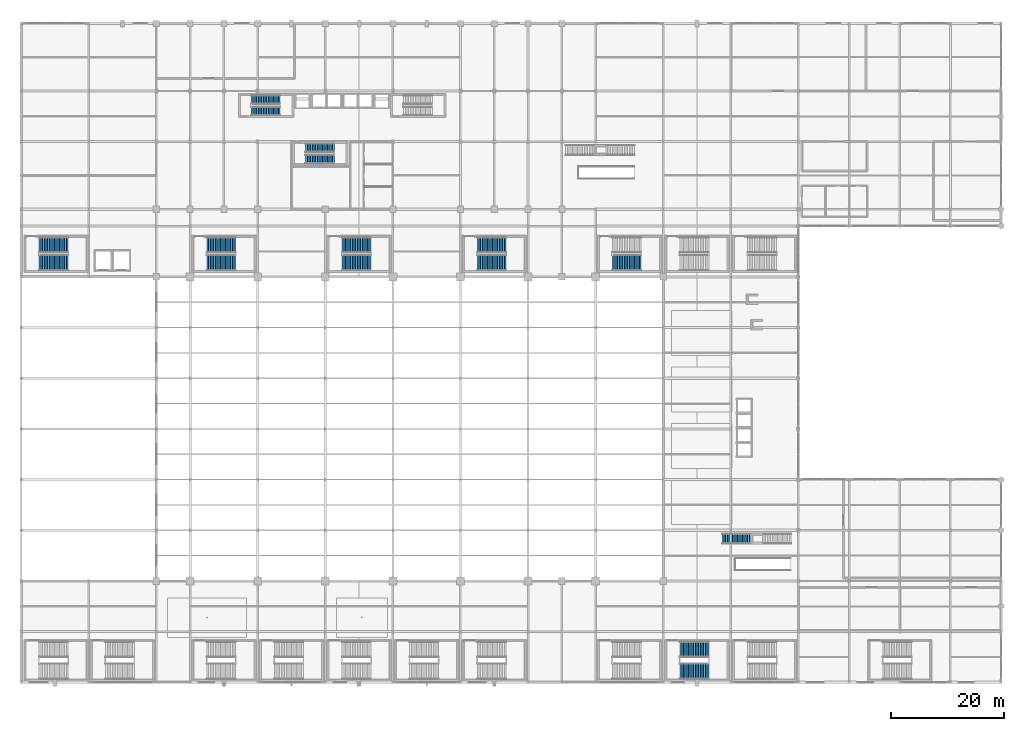
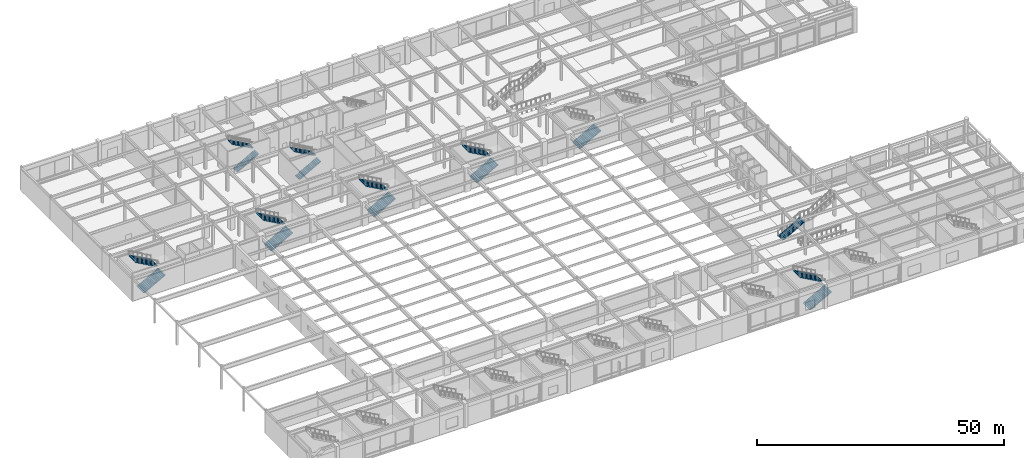
# One storey, part 93 of 105: 16 stair flights, 9 elements without a shape of their own.
"""IFC4 building model written with IfcOpenShell, lengths in metres."""

from ifc_helpers import new_model, si_unit, direction, frame, origin, place, context, subcontext, project, spatial, polyline, outline, extrude, material, type_object, element, aggregate, save


model = new_model("IFC4")

# Units and contexts
model_context = context("Model", 3, precision=1e-05, world=origin(), true_north=direction((0.0, 1.0)))
body_context = subcontext(model_context, "Body", "Model", "MODEL_VIEW")
ifc_project = project(units=[si_unit("LENGTHUNIT", "METRE"), si_unit("AREAUNIT", "SQUARE_METRE"), si_unit("VOLUMEUNIT", "CUBIC_METRE"), si_unit("PLANEANGLEUNIT", "RADIAN"), si_unit("MASSUNIT", "GRAM", prefix="KILO")], contexts=[model_context])

# Site, building, storey
site_placement = place(None, origin())
site = spatial("IfcSite", under=ifc_project, at=site_placement, CompositionType="ELEMENT")
building_placement = place(site_placement, origin())
building = spatial("IfcBuilding", under=site, at=building_placement, Name="Kaldorvane Square Convention Centre", CompositionType="ELEMENT")
storey_placement = place(building_placement, frame((0.0, 0.0, 6.0)))
storey = spatial("IfcBuildingStorey", under=building, at=storey_placement, Name="L01", CompositionType="ELEMENT", Elevation=6.0)

# Stair, stair flight
ifc_material_1 = material(Name="Steel ASTM A500 Gr. C", Category="steel")
stair_type_1 = type_object("IfcStairType", Name="ST-STR-1800-6000", PredefinedType="STRAIGHT_RUN_STAIR", material=ifc_material_1)
stair_1_placement = place(storey_placement, origin())
stair_1 = element("IfcStair", 1, at=stair_1_placement, inside=storey, type_object=stair_type_1, Name="East Foyer Grand Stair F2 (L01)", PredefinedType="STRAIGHT_RUN_STAIR")
stair_flight_type_1 = type_object("IfcStairFlightType", Name="SF-FEAT-1800-18R", PredefinedType="STRAIGHT", material=ifc_material_1)
stair_flight_1_placement = place(storey_placement, frame((124.47999572753906, 25.5, 0.0), z_axis=(0.0, 0.0, 1.0), x_axis=(1.0, 0.0, 0.0)))
stair_flight_1 = element("IfcStairFlight", 2, at=stair_flight_1_placement, type_object=stair_flight_type_1, Name="East Foyer Grand Stair F2 Lower Flight (L01)", NumberOfRisers=18, NumberOfTreads=17, PredefinedType="STRAIGHT", RiserHeight=0.166666667, TreadLength=0.3, context=body_context, shape_type="SweptSolid", body=[
    extrude(outline(polyline([(0.0, 0.0), (0.0, 0.1666717529296875), (0.3000030517578125, 0.1666717529296875), (0.3000030517578125, 0.3333282470703125), (0.600006103515625, 0.3333282470703125), (0.600006103515625, 0.5), (0.899993896484375, 0.5), (0.899993896484375, 0.6666717529296875), (1.1999969482421875, 0.6666717529296875), (1.1999969482421875, 0.8333282470703125), (1.5, 0.8333282470703125), (1.5, 1.0), (1.8000030517578125, 1.0), (1.8000030517578125, 1.1666717529296875), (2.100006103515625, 1.1666717529296875), (2.100006103515625, 1.3333282470703125), (2.399993896484375, 1.3333282470703125), (2.399993896484375, 1.5), (2.6999969482421875, 1.5), (2.6999969482421875, 1.6666717529296875), (3.0, 1.6666717529296875), (3.0, 1.8333282470703125), (3.3000030517578125, 1.8333282470703125), (3.3000030517578125, 2.0), (3.600006103515625, 2.0), (3.600006103515625, 2.1666717529296875), (3.899993896484375, 2.1666717529296875), (3.899993896484375, 2.3333282470703125), (4.1999969482421875, 2.3333282470703125), (4.1999969482421875, 2.5), (4.5, 2.5), (4.5, 2.6666717529296875), (4.8000030517578125, 2.6666717529296875), (4.8000030517578125, 2.8333282470703125), (5.100006103515625, 2.8333282470703125), (5.100006103515625, 3.0), (5.100006103515625, 2.6045379638671875), (0.4118194580078125, 0.0), (0.0, 0.0)])), frame((0.0, 0.899993896484375, 0.0), z_axis=(0.0, -1.0, 0.0), x_axis=(1.0, 0.0, 0.0)), (0.0, 0.0, 1.0), 1.8000030517578125),
])
aggregate(stair_1, [stair_flight_1])

# Stair, stair flights
ifc_material_2 = material(Name="Concrete f'c = 42 MPa (Normalweight)", Category="concrete")
stair_type_2 = type_object("IfcStairType", Name="ST-DL-1600-6000", PredefinedType="HALF_TURN_STAIR", material=ifc_material_2)
stair_2_placement = place(storey_placement, origin())
stair_2 = element("IfcStair", 3, at=stair_2_placement, inside=storey, type_object=stair_type_2, Name="Tower Exit Stair T1 (L01)", PredefinedType="HALF_TURN_STAIR")
stair_flight_type_2 = type_object("IfcStairFlightType", Name="SF-STR-1600-18R", PredefinedType="STRAIGHT", material=ifc_material_2)
stair_flight_2_placement = place(storey_placement, frame((40.899993896484375, 101.41000366210938, 0.0), z_axis=(0.0, 0.0, 1.0), x_axis=(1.0, 0.0, 0.0)))
stair_flight_2 = element("IfcStairFlight", 4, at=stair_flight_2_placement, type_object=stair_flight_type_2, Name="Tower Exit Stair T1 Flight 1 (L01)", NumberOfRisers=18, NumberOfTreads=17, PredefinedType="STRAIGHT", RiserHeight=0.166666667, TreadLength=0.3, context=body_context, shape_type="SweptSolid", body=[
    extrude(outline(polyline([(0.0, 0.0), (0.0, 0.1666717529296875), (0.3000030517578125, 0.1666717529296875), (0.3000030517578125, 0.3333282470703125), (0.600006103515625, 0.3333282470703125), (0.600006103515625, 0.5), (0.899993896484375, 0.5), (0.899993896484375, 0.6666717529296875), (1.1999969482421875, 0.6666717529296875), (1.1999969482421875, 0.8333282470703125), (1.5, 0.8333282470703125), (1.5, 1.0), (1.8000030517578125, 1.0), (1.8000030517578125, 1.1666717529296875), (2.100006103515625, 1.1666717529296875), (2.100006103515625, 1.3333282470703125), (2.399993896484375, 1.3333282470703125), (2.399993896484375, 1.5), (2.6999969482421875, 1.5), (2.6999969482421875, 1.6666717529296875), (3.0, 1.6666717529296875), (3.0, 1.8333282470703125), (3.3000030517578125, 1.8333282470703125), (3.3000030517578125, 2.0), (3.600006103515625, 2.0), (3.600006103515625, 2.1666717529296875), (3.899993896484375, 2.1666717529296875), (3.899993896484375, 2.3333282470703125), (4.1999969482421875, 2.3333282470703125), (4.1999969482421875, 2.5), (4.5, 2.5), (4.5, 2.6666717529296875), (4.8000030517578125, 2.6666717529296875), (4.8000030517578125, 2.8333282470703125), (5.100006103515625, 2.8333282470703125), (5.100006103515625, 3.0), (5.100006103515625, 2.6045379638671875), (0.4118194580078125, 0.0), (0.0, 0.0)])), frame((0.0, 0.8000030517578125, 0.0), z_axis=(0.0, -1.0, 0.0), x_axis=(1.0, 0.0, 0.0)), (0.0, 0.0, 1.0), 1.600006103515625),
])
stair_flight_3_placement = place(storey_placement, frame((46.0, 103.44999694824219, 3.0), z_axis=(0.0, 0.0, 1.0), x_axis=(-1.0, 0.0, 0.0)))
stair_flight_3 = element("IfcStairFlight", 5, at=stair_flight_3_placement, type_object=stair_flight_type_2, Name="Tower Exit Stair T1 Flight 2 (L01)", NumberOfRisers=18, NumberOfTreads=17, PredefinedType="STRAIGHT", RiserHeight=0.166666667, TreadLength=0.3, context=body_context, shape_type="SweptSolid", body=[
    extrude(outline(polyline([(0.0, 0.0), (0.0, 0.1666717529296875), (0.3000030517578125, 0.1666717529296875), (0.3000030517578125, 0.3333282470703125), (0.600006103515625, 0.3333282470703125), (0.600006103515625, 0.5), (0.899993896484375, 0.5), (0.899993896484375, 0.6666717529296875), (1.1999969482421875, 0.6666717529296875), (1.1999969482421875, 0.8333282470703125), (1.5, 0.8333282470703125), (1.5, 1.0), (1.8000030517578125, 1.0), (1.8000030517578125, 1.1666717529296875), (2.100006103515625, 1.1666717529296875), (2.100006103515625, 1.3333282470703125), (2.399993896484375, 1.3333282470703125), (2.399993896484375, 1.5), (2.6999969482421875, 1.5), (2.6999969482421875, 1.6666717529296875), (3.0, 1.6666717529296875), (3.0, 1.8333282470703125), (3.3000030517578125, 1.8333282470703125), (3.3000030517578125, 2.0), (3.600006103515625, 2.0), (3.600006103515625, 2.1666717529296875), (3.899993896484375, 2.1666717529296875), (3.899993896484375, 2.3333282470703125), (4.1999969482421875, 2.3333282470703125), (4.1999969482421875, 2.5), (4.5, 2.5), (4.5, 2.6666717529296875), (4.8000030517578125, 2.6666717529296875), (4.8000030517578125, 2.8333282470703125), (5.100006103515625, 2.8333282470703125), (5.100006103515625, 3.0), (5.100006103515625, 2.6045379638671875), (0.4118194580078125, 0.0), (0.0, 0.0)])), frame((0.0, 0.8000030517578125, 0.0), z_axis=(0.0, -1.0, 0.0), x_axis=(1.0, 0.0, 0.0)), (0.0, 0.0, 1.0), 1.600006103515625),
])
aggregate(stair_2, [stair_flight_2, stair_flight_3])

stair_3_placement = place(storey_placement, origin())
stair_3 = element("IfcStair", 6, at=stair_3_placement, inside=storey, type_object=stair_type_2, Name="Tower Exit Stair T3 (L01)", PredefinedType="HALF_TURN_STAIR")
stair_flight_4_placement = place(storey_placement, frame((50.5, 92.86000061035156, 0.0), z_axis=(0.0, 0.0, 1.0), x_axis=(1.0, 0.0, 0.0)))
stair_flight_4 = element("IfcStairFlight", 7, at=stair_flight_4_placement, type_object=stair_flight_type_2, Name="Tower Exit Stair T3 Flight 1 (L01)", NumberOfRisers=18, NumberOfTreads=17, PredefinedType="STRAIGHT", RiserHeight=0.166666667, TreadLength=0.3, context=body_context, shape_type="SweptSolid", body=[
    extrude(outline(polyline([(0.0, 0.0), (0.0, 0.1666717529296875), (0.3000030517578125, 0.1666717529296875), (0.3000030517578125, 0.3333282470703125), (0.600006103515625, 0.3333282470703125), (0.600006103515625, 0.5), (0.899993896484375, 0.5), (0.899993896484375, 0.6666717529296875), (1.1999969482421875, 0.6666717529296875), (1.1999969482421875, 0.8333282470703125), (1.5, 0.8333282470703125), (1.5, 1.0), (1.8000030517578125, 1.0), (1.8000030517578125, 1.1666717529296875), (2.100006103515625, 1.1666717529296875), (2.100006103515625, 1.3333282470703125), (2.399993896484375, 1.3333282470703125), (2.399993896484375, 1.5), (2.6999969482421875, 1.5), (2.6999969482421875, 1.6666717529296875), (3.0, 1.6666717529296875), (3.0, 1.8333282470703125), (3.3000030517578125, 1.8333282470703125), (3.3000030517578125, 2.0), (3.600006103515625, 2.0), (3.600006103515625, 2.1666717529296875), (3.899993896484375, 2.1666717529296875), (3.899993896484375, 2.3333282470703125), (4.1999969482421875, 2.3333282470703125), (4.1999969482421875, 2.5), (4.5, 2.5), (4.5, 2.6666717529296875), (4.8000030517578125, 2.6666717529296875), (4.8000030517578125, 2.8333282470703125), (5.100006103515625, 2.8333282470703125), (5.100006103515625, 3.0), (5.100006103515625, 2.6045379638671875), (0.4118194580078125, 0.0), (0.0, 0.0)])), frame((0.0, 0.8000030517578125, 0.0), z_axis=(0.0, -1.0, 0.0), x_axis=(1.0, 0.0, 0.0)), (0.0, 0.0, 1.0), 1.600006103515625),
])
stair_flight_5_placement = place(storey_placement, frame((55.600006103515625, 94.89999389648438, 3.0), z_axis=(0.0, 0.0, 1.0), x_axis=(-1.0, 0.0, 0.0)))
stair_flight_5 = element("IfcStairFlight", 8, at=stair_flight_5_placement, type_object=stair_flight_type_2, Name="Tower Exit Stair T3 Flight 2 (L01)", NumberOfRisers=18, NumberOfTreads=17, PredefinedType="STRAIGHT", RiserHeight=0.166666667, TreadLength=0.3, context=body_context, shape_type="SweptSolid", body=[
    extrude(outline(polyline([(0.0, 0.0), (0.0, 0.1666717529296875), (0.3000030517578125, 0.1666717529296875), (0.3000030517578125, 0.3333282470703125), (0.600006103515625, 0.3333282470703125), (0.600006103515625, 0.5), (0.899993896484375, 0.5), (0.899993896484375, 0.6666717529296875), (1.1999969482421875, 0.6666717529296875), (1.1999969482421875, 0.8333282470703125), (1.5, 0.8333282470703125), (1.5, 1.0), (1.8000030517578125, 1.0), (1.8000030517578125, 1.1666717529296875), (2.100006103515625, 1.1666717529296875), (2.100006103515625, 1.3333282470703125), (2.399993896484375, 1.3333282470703125), (2.399993896484375, 1.5), (2.6999969482421875, 1.5), (2.6999969482421875, 1.6666717529296875), (3.0, 1.6666717529296875), (3.0, 1.8333282470703125), (3.3000030517578125, 1.8333282470703125), (3.3000030517578125, 2.0), (3.600006103515625, 2.0), (3.600006103515625, 2.1666717529296875), (3.899993896484375, 2.1666717529296875), (3.899993896484375, 2.3333282470703125), (4.1999969482421875, 2.3333282470703125), (4.1999969482421875, 2.5), (4.5, 2.5), (4.5, 2.6666717529296875), (4.8000030517578125, 2.6666717529296875), (4.8000030517578125, 2.8333282470703125), (5.100006103515625, 2.8333282470703125), (5.100006103515625, 3.0), (5.100006103515625, 2.6045379638671875), (0.4118194580078125, 0.0), (0.0, 0.0)])), frame((0.0, 0.8000030517578125, 0.0), z_axis=(0.0, -1.0, 0.0), x_axis=(1.0, 0.0, 0.0)), (0.0, 0.0, 1.0), 1.600006103515625),
])
aggregate(stair_3, [stair_flight_4, stair_flight_5])

stair_type_3 = type_object("IfcStairType", Name="ST-DL-2800-6000-D6710", PredefinedType="HALF_TURN_STAIR", material=ifc_material_2)
stair_4_placement = place(storey_placement, origin())
stair_4 = element("IfcStair", 9, at=stair_4_placement, inside=storey, type_object=stair_type_3, Name="Convention Exit Stair C9 (L01)", PredefinedType="HALF_TURN_STAIR")
stair_flight_type_3 = type_object("IfcStairFlightType", Name="SF-STR-2800-18R", PredefinedType="STRAIGHT", material=ifc_material_2)
stair_flight_6_placement = place(storey_placement, frame((116.99000549316406, 1.9499969482421875, 0.0), z_axis=(0.0, 0.0, 1.0), x_axis=(1.0, 0.0, 0.0)))
stair_flight_6 = element("IfcStairFlight", 10, at=stair_flight_6_placement, type_object=stair_flight_type_3, Name="Convention Exit Stair C9 Flight 1 (L01)", NumberOfRisers=18, NumberOfTreads=17, PredefinedType="STRAIGHT", RiserHeight=0.166666667, TreadLength=0.3, context=body_context, shape_type="SweptSolid", body=[
    extrude(outline(polyline([(0.0, 0.0), (0.0, 0.1666717529296875), (0.3000030517578125, 0.1666717529296875), (0.3000030517578125, 0.3333282470703125), (0.600006103515625, 0.3333282470703125), (0.600006103515625, 0.5), (0.899993896484375, 0.5), (0.899993896484375, 0.6666717529296875), (1.1999969482421875, 0.6666717529296875), (1.1999969482421875, 0.8333282470703125), (1.5, 0.8333282470703125), (1.5, 1.0), (1.8000030517578125, 1.0), (1.8000030517578125, 1.1666717529296875), (2.100006103515625, 1.1666717529296875), (2.100006103515625, 1.3333282470703125), (2.399993896484375, 1.3333282470703125), (2.399993896484375, 1.5), (2.6999969482421875, 1.5), (2.6999969482421875, 1.6666717529296875), (3.0, 1.6666717529296875), (3.0, 1.8333282470703125), (3.3000030517578125, 1.8333282470703125), (3.3000030517578125, 2.0), (3.600006103515625, 2.0), (3.600006103515625, 2.1666717529296875), (3.899993896484375, 2.1666717529296875), (3.899993896484375, 2.3333282470703125), (4.1999969482421875, 2.3333282470703125), (4.1999969482421875, 2.5), (4.5, 2.5), (4.5, 2.6666717529296875), (4.8000030517578125, 2.6666717529296875), (4.8000030517578125, 2.8333282470703125), (5.100006103515625, 2.8333282470703125), (5.100006103515625, 3.0), (5.100006103515625, 2.6045379638671875), (0.4118194580078125, 0.0), (0.0, 0.0)])), frame((0.0, 1.399993896484375, 0.0), z_axis=(0.0, -1.0, 0.0), x_axis=(1.0, 0.0, 0.0)), (0.0, 0.0, 1.0), 2.8000030517578125),
])
stair_flight_7_placement = place(storey_placement, frame((122.08999633789062, 5.8600006103515625, 3.0), z_axis=(0.0, 0.0, 1.0), x_axis=(-1.0, 0.0, 0.0)))
stair_flight_7 = element("IfcStairFlight", 11, at=stair_flight_7_placement, type_object=stair_flight_type_3, Name="Convention Exit Stair C9 Flight 2 (L01)", NumberOfRisers=18, NumberOfTreads=17, PredefinedType="STRAIGHT", RiserHeight=0.166666667, TreadLength=0.3, context=body_context, shape_type="SweptSolid", body=[
    extrude(outline(polyline([(0.0, 0.0), (0.0, 0.1666717529296875), (0.3000030517578125, 0.1666717529296875), (0.3000030517578125, 0.3333282470703125), (0.600006103515625, 0.3333282470703125), (0.600006103515625, 0.5), (0.899993896484375, 0.5), (0.899993896484375, 0.6666717529296875), (1.1999969482421875, 0.6666717529296875), (1.1999969482421875, 0.8333282470703125), (1.5, 0.8333282470703125), (1.5, 1.0), (1.8000030517578125, 1.0), (1.8000030517578125, 1.1666717529296875), (2.100006103515625, 1.1666717529296875), (2.100006103515625, 1.3333282470703125), (2.399993896484375, 1.3333282470703125), (2.399993896484375, 1.5), (2.6999969482421875, 1.5), (2.6999969482421875, 1.6666717529296875), (3.0, 1.6666717529296875), (3.0, 1.8333282470703125), (3.3000030517578125, 1.8333282470703125), (3.3000030517578125, 2.0), (3.600006103515625, 2.0), (3.600006103515625, 2.1666717529296875), (3.899993896484375, 2.1666717529296875), (3.899993896484375, 2.3333282470703125), (4.1999969482421875, 2.3333282470703125), (4.1999969482421875, 2.5), (4.5, 2.5), (4.5, 2.6666717529296875), (4.8000030517578125, 2.6666717529296875), (4.8000030517578125, 2.8333282470703125), (5.100006103515625, 2.8333282470703125), (5.100006103515625, 3.0), (5.100006103515625, 2.6045379638671875), (0.4118194580078125, 0.0), (0.0, 0.0)])), frame((0.0, 1.399993896484375, 0.0), z_axis=(0.0, -1.0, 0.0), x_axis=(1.0, 0.0, 0.0)), (0.0, 0.0, 1.0), 2.8000030517578125),
])
aggregate(stair_4, [stair_flight_6, stair_flight_7])

stair_type_4 = type_object("IfcStairType", Name="ST-DL-2800-6000", PredefinedType="HALF_TURN_STAIR", material=ifc_material_2)
stair_5_placement = place(storey_placement, origin())
stair_5 = element("IfcStair", 12, at=stair_5_placement, inside=storey, type_object=stair_type_4, Name="Convention Exit Stair C12 (L01)", PredefinedType="HALF_TURN_STAIR")
stair_flight_8_placement = place(storey_placement, frame((3.2100067138671875, 74.5, 0.0), z_axis=(0.0, 0.0, 1.0), x_axis=(1.0, 0.0, 0.0)))
stair_flight_8 = element("IfcStairFlight", 13, at=stair_flight_8_placement, type_object=stair_flight_type_3, Name="Convention Exit Stair C12 Flight 1 (L01)", NumberOfRisers=18, NumberOfTreads=17, PredefinedType="STRAIGHT", RiserHeight=0.166666667, TreadLength=0.3, context=body_context, shape_type="SweptSolid", body=[
    extrude(outline(polyline([(0.0, 0.0), (0.0, 0.1666717529296875), (0.3000030517578125, 0.1666717529296875), (0.3000030517578125, 0.3333282470703125), (0.600006103515625, 0.3333282470703125), (0.600006103515625, 0.5), (0.899993896484375, 0.5), (0.899993896484375, 0.6666717529296875), (1.1999969482421875, 0.6666717529296875), (1.1999969482421875, 0.8333282470703125), (1.5, 0.8333282470703125), (1.5, 1.0), (1.8000030517578125, 1.0), (1.8000030517578125, 1.1666717529296875), (2.100006103515625, 1.1666717529296875), (2.100006103515625, 1.3333282470703125), (2.399993896484375, 1.3333282470703125), (2.399993896484375, 1.5), (2.6999969482421875, 1.5), (2.6999969482421875, 1.6666717529296875), (3.0, 1.6666717529296875), (3.0, 1.8333282470703125), (3.3000030517578125, 1.8333282470703125), (3.3000030517578125, 2.0), (3.600006103515625, 2.0), (3.600006103515625, 2.1666717529296875), (3.899993896484375, 2.1666717529296875), (3.899993896484375, 2.3333282470703125), (4.1999969482421875, 2.3333282470703125), (4.1999969482421875, 2.5), (4.5, 2.5), (4.5, 2.6666717529296875), (4.8000030517578125, 2.6666717529296875), (4.8000030517578125, 2.8333282470703125), (5.100006103515625, 2.8333282470703125), (5.100006103515625, 3.0), (5.100006103515625, 2.6045379638671875), (0.4118194580078125, 0.0), (0.0, 0.0)])), frame((0.0, 1.399993896484375, 0.0), z_axis=(0.0, -1.0, 0.0), x_axis=(1.0, 0.0, 0.0)), (0.0, 0.0, 1.0), 2.8000030517578125),
])
stair_flight_9_placement = place(storey_placement, frame((8.30999755859375, 77.66000366210938, 3.0), z_axis=(0.0, 0.0, 1.0), x_axis=(-1.0, 0.0, 0.0)))
stair_flight_9 = element("IfcStairFlight", 14, at=stair_flight_9_placement, type_object=stair_flight_type_3, Name="Convention Exit Stair C12 Flight 2 (L01)", NumberOfRisers=18, NumberOfTreads=17, PredefinedType="STRAIGHT", RiserHeight=0.166666667, TreadLength=0.3, context=body_context, shape_type="SweptSolid", body=[
    extrude(outline(polyline([(0.0, 0.0), (0.0, 0.1666717529296875), (0.3000030517578125, 0.1666717529296875), (0.3000030517578125, 0.3333282470703125), (0.600006103515625, 0.3333282470703125), (0.600006103515625, 0.5), (0.899993896484375, 0.5), (0.899993896484375, 0.6666717529296875), (1.1999969482421875, 0.6666717529296875), (1.1999969482421875, 0.8333282470703125), (1.5, 0.8333282470703125), (1.5, 1.0), (1.8000030517578125, 1.0), (1.8000030517578125, 1.1666717529296875), (2.100006103515625, 1.1666717529296875), (2.100006103515625, 1.3333282470703125), (2.399993896484375, 1.3333282470703125), (2.399993896484375, 1.5), (2.6999969482421875, 1.5), (2.6999969482421875, 1.6666717529296875), (3.0, 1.6666717529296875), (3.0, 1.8333282470703125), (3.3000030517578125, 1.8333282470703125), (3.3000030517578125, 2.0), (3.600006103515625, 2.0), (3.600006103515625, 2.1666717529296875), (3.899993896484375, 2.1666717529296875), (3.899993896484375, 2.3333282470703125), (4.1999969482421875, 2.3333282470703125), (4.1999969482421875, 2.5), (4.5, 2.5), (4.5, 2.6666717529296875), (4.8000030517578125, 2.6666717529296875), (4.8000030517578125, 2.8333282470703125), (5.100006103515625, 2.8333282470703125), (5.100006103515625, 3.0), (5.100006103515625, 2.6045379638671875), (0.4118194580078125, 0.0), (0.0, 0.0)])), frame((0.0, 1.399993896484375, 0.0), z_axis=(0.0, -1.0, 0.0), x_axis=(1.0, 0.0, 0.0)), (0.0, 0.0, 1.0), 2.8000030517578125),
])
aggregate(stair_5, [stair_flight_8, stair_flight_9])

stair_6_placement = place(storey_placement, origin())
stair_6 = element("IfcStair", 15, at=stair_6_placement, inside=storey, type_object=stair_type_4, Name="Convention Exit Stair C13 (L01)", PredefinedType="HALF_TURN_STAIR")
stair_flight_10_placement = place(storey_placement, frame((32.99000549316406, 74.5, 0.0), z_axis=(0.0, 0.0, 1.0), x_axis=(1.0, 0.0, 0.0)))
stair_flight_10 = element("IfcStairFlight", 16, at=stair_flight_10_placement, type_object=stair_flight_type_3, Name="Convention Exit Stair C13 Flight 1 (L01)", NumberOfRisers=18, NumberOfTreads=17, PredefinedType="STRAIGHT", RiserHeight=0.166666667, TreadLength=0.3, context=body_context, shape_type="SweptSolid", body=[
    extrude(outline(polyline([(0.0, 0.0), (0.0, 0.1666717529296875), (0.3000030517578125, 0.1666717529296875), (0.3000030517578125, 0.3333282470703125), (0.600006103515625, 0.3333282470703125), (0.600006103515625, 0.5), (0.899993896484375, 0.5), (0.899993896484375, 0.6666717529296875), (1.1999969482421875, 0.6666717529296875), (1.1999969482421875, 0.8333282470703125), (1.5, 0.8333282470703125), (1.5, 1.0), (1.8000030517578125, 1.0), (1.8000030517578125, 1.1666717529296875), (2.100006103515625, 1.1666717529296875), (2.100006103515625, 1.3333282470703125), (2.399993896484375, 1.3333282470703125), (2.399993896484375, 1.5), (2.6999969482421875, 1.5), (2.6999969482421875, 1.6666717529296875), (3.0, 1.6666717529296875), (3.0, 1.8333282470703125), (3.3000030517578125, 1.8333282470703125), (3.3000030517578125, 2.0), (3.600006103515625, 2.0), (3.600006103515625, 2.1666717529296875), (3.899993896484375, 2.1666717529296875), (3.899993896484375, 2.3333282470703125), (4.1999969482421875, 2.3333282470703125), (4.1999969482421875, 2.5), (4.5, 2.5), (4.5, 2.6666717529296875), (4.8000030517578125, 2.6666717529296875), (4.8000030517578125, 2.8333282470703125), (5.100006103515625, 2.8333282470703125), (5.100006103515625, 3.0), (5.100006103515625, 2.6045379638671875), (0.4118194580078125, 0.0), (0.0, 0.0)])), frame((0.0, 1.399993896484375, 0.0), z_axis=(0.0, -1.0, 0.0), x_axis=(1.0, 0.0, 0.0)), (0.0, 0.0, 1.0), 2.8000030517578125),
])
stair_flight_11_placement = place(storey_placement, frame((38.089996337890625, 77.66000366210938, 3.0), z_axis=(0.0, 0.0, 1.0), x_axis=(-1.0, 0.0, 0.0)))
stair_flight_11 = element("IfcStairFlight", 17, at=stair_flight_11_placement, type_object=stair_flight_type_3, Name="Convention Exit Stair C13 Flight 2 (L01)", NumberOfRisers=18, NumberOfTreads=17, PredefinedType="STRAIGHT", RiserHeight=0.166666667, TreadLength=0.3, context=body_context, shape_type="SweptSolid", body=[
    extrude(outline(polyline([(0.0, 0.0), (0.0, 0.1666717529296875), (0.3000030517578125, 0.1666717529296875), (0.3000030517578125, 0.3333282470703125), (0.600006103515625, 0.3333282470703125), (0.600006103515625, 0.5), (0.899993896484375, 0.5), (0.899993896484375, 0.6666717529296875), (1.1999969482421875, 0.6666717529296875), (1.1999969482421875, 0.8333282470703125), (1.5, 0.8333282470703125), (1.5, 1.0), (1.8000030517578125, 1.0), (1.8000030517578125, 1.1666717529296875), (2.100006103515625, 1.1666717529296875), (2.100006103515625, 1.3333282470703125), (2.399993896484375, 1.3333282470703125), (2.399993896484375, 1.5), (2.6999969482421875, 1.5), (2.6999969482421875, 1.6666717529296875), (3.0, 1.6666717529296875), (3.0, 1.8333282470703125), (3.3000030517578125, 1.8333282470703125), (3.3000030517578125, 2.0), (3.600006103515625, 2.0), (3.600006103515625, 2.1666717529296875), (3.899993896484375, 2.1666717529296875), (3.899993896484375, 2.3333282470703125), (4.1999969482421875, 2.3333282470703125), (4.1999969482421875, 2.5), (4.5, 2.5), (4.5, 2.6666717529296875), (4.8000030517578125, 2.6666717529296875), (4.8000030517578125, 2.8333282470703125), (5.100006103515625, 2.8333282470703125), (5.100006103515625, 3.0), (5.100006103515625, 2.6045379638671875), (0.4118194580078125, 0.0), (0.0, 0.0)])), frame((0.0, 1.399993896484375, 0.0), z_axis=(0.0, -1.0, 0.0), x_axis=(1.0, 0.0, 0.0)), (0.0, 0.0, 1.0), 2.8000030517578125),
])
aggregate(stair_6, [stair_flight_10, stair_flight_11])

stair_7_placement = place(storey_placement, origin())
stair_7 = element("IfcStair", 18, at=stair_7_placement, inside=storey, type_object=stair_type_4, Name="Convention Exit Stair C14 (L01)", PredefinedType="HALF_TURN_STAIR")
stair_flight_12_placement = place(storey_placement, frame((56.99000549316406, 74.5, 0.0), z_axis=(0.0, 0.0, 1.0), x_axis=(1.0, 0.0, 0.0)))
stair_flight_12 = element("IfcStairFlight", 19, at=stair_flight_12_placement, type_object=stair_flight_type_3, Name="Convention Exit Stair C14 Flight 1 (L01)", NumberOfRisers=18, NumberOfTreads=17, PredefinedType="STRAIGHT", RiserHeight=0.166666667, TreadLength=0.3, context=body_context, shape_type="SweptSolid", body=[
    extrude(outline(polyline([(0.0, 0.0), (0.0, 0.1666717529296875), (0.3000030517578125, 0.1666717529296875), (0.3000030517578125, 0.3333282470703125), (0.600006103515625, 0.3333282470703125), (0.600006103515625, 0.5), (0.899993896484375, 0.5), (0.899993896484375, 0.6666717529296875), (1.1999969482421875, 0.6666717529296875), (1.1999969482421875, 0.8333282470703125), (1.5, 0.8333282470703125), (1.5, 1.0), (1.8000030517578125, 1.0), (1.8000030517578125, 1.1666717529296875), (2.100006103515625, 1.1666717529296875), (2.100006103515625, 1.3333282470703125), (2.399993896484375, 1.3333282470703125), (2.399993896484375, 1.5), (2.6999969482421875, 1.5), (2.6999969482421875, 1.6666717529296875), (3.0, 1.6666717529296875), (3.0, 1.8333282470703125), (3.3000030517578125, 1.8333282470703125), (3.3000030517578125, 2.0), (3.600006103515625, 2.0), (3.600006103515625, 2.1666717529296875), (3.899993896484375, 2.1666717529296875), (3.899993896484375, 2.3333282470703125), (4.1999969482421875, 2.3333282470703125), (4.1999969482421875, 2.5), (4.5, 2.5), (4.5, 2.6666717529296875), (4.8000030517578125, 2.6666717529296875), (4.8000030517578125, 2.8333282470703125), (5.100006103515625, 2.8333282470703125), (5.100006103515625, 3.0), (5.100006103515625, 2.6045379638671875), (0.4118194580078125, 0.0), (0.0, 0.0)])), frame((0.0, 1.399993896484375, 0.0), z_axis=(0.0, -1.0, 0.0), x_axis=(1.0, 0.0, 0.0)), (0.0, 0.0, 1.0), 2.8000030517578125),
])
stair_flight_13_placement = place(storey_placement, frame((62.089996337890625, 77.66000366210938, 3.0), z_axis=(0.0, 0.0, 1.0), x_axis=(-1.0, 0.0, 0.0)))
stair_flight_13 = element("IfcStairFlight", 20, at=stair_flight_13_placement, type_object=stair_flight_type_3, Name="Convention Exit Stair C14 Flight 2 (L01)", NumberOfRisers=18, NumberOfTreads=17, PredefinedType="STRAIGHT", RiserHeight=0.166666667, TreadLength=0.3, context=body_context, shape_type="SweptSolid", body=[
    extrude(outline(polyline([(0.0, 0.0), (0.0, 0.1666717529296875), (0.3000030517578125, 0.1666717529296875), (0.3000030517578125, 0.3333282470703125), (0.600006103515625, 0.3333282470703125), (0.600006103515625, 0.5), (0.899993896484375, 0.5), (0.899993896484375, 0.6666717529296875), (1.1999969482421875, 0.6666717529296875), (1.1999969482421875, 0.8333282470703125), (1.5, 0.8333282470703125), (1.5, 1.0), (1.8000030517578125, 1.0), (1.8000030517578125, 1.1666717529296875), (2.100006103515625, 1.1666717529296875), (2.100006103515625, 1.3333282470703125), (2.399993896484375, 1.3333282470703125), (2.399993896484375, 1.5), (2.6999969482421875, 1.5), (2.6999969482421875, 1.6666717529296875), (3.0, 1.6666717529296875), (3.0, 1.8333282470703125), (3.3000030517578125, 1.8333282470703125), (3.3000030517578125, 2.0), (3.600006103515625, 2.0), (3.600006103515625, 2.1666717529296875), (3.899993896484375, 2.1666717529296875), (3.899993896484375, 2.3333282470703125), (4.1999969482421875, 2.3333282470703125), (4.1999969482421875, 2.5), (4.5, 2.5), (4.5, 2.6666717529296875), (4.8000030517578125, 2.6666717529296875), (4.8000030517578125, 2.8333282470703125), (5.100006103515625, 2.8333282470703125), (5.100006103515625, 3.0), (5.100006103515625, 2.6045379638671875), (0.4118194580078125, 0.0), (0.0, 0.0)])), frame((0.0, 1.399993896484375, 0.0), z_axis=(0.0, -1.0, 0.0), x_axis=(1.0, 0.0, 0.0)), (0.0, 0.0, 1.0), 2.8000030517578125),
])
aggregate(stair_7, [stair_flight_12, stair_flight_13])

stair_8_placement = place(storey_placement, origin())
stair_8 = element("IfcStair", 21, at=stair_8_placement, inside=storey, type_object=stair_type_4, Name="Convention Exit Stair C15 (L01)", PredefinedType="HALF_TURN_STAIR")
stair_flight_14_placement = place(storey_placement, frame((80.99000549316406, 74.5, 0.0), z_axis=(0.0, 0.0, 1.0), x_axis=(1.0, 0.0, 0.0)))
stair_flight_14 = element("IfcStairFlight", 22, at=stair_flight_14_placement, type_object=stair_flight_type_3, Name="Convention Exit Stair C15 Flight 1 (L01)", NumberOfRisers=18, NumberOfTreads=17, PredefinedType="STRAIGHT", RiserHeight=0.166666667, TreadLength=0.3, context=body_context, shape_type="SweptSolid", body=[
    extrude(outline(polyline([(0.0, 0.0), (0.0, 0.1666717529296875), (0.3000030517578125, 0.1666717529296875), (0.3000030517578125, 0.3333282470703125), (0.600006103515625, 0.3333282470703125), (0.600006103515625, 0.5), (0.899993896484375, 0.5), (0.899993896484375, 0.6666717529296875), (1.1999969482421875, 0.6666717529296875), (1.1999969482421875, 0.8333282470703125), (1.5, 0.8333282470703125), (1.5, 1.0), (1.8000030517578125, 1.0), (1.8000030517578125, 1.1666717529296875), (2.100006103515625, 1.1666717529296875), (2.100006103515625, 1.3333282470703125), (2.399993896484375, 1.3333282470703125), (2.399993896484375, 1.5), (2.6999969482421875, 1.5), (2.6999969482421875, 1.6666717529296875), (3.0, 1.6666717529296875), (3.0, 1.8333282470703125), (3.3000030517578125, 1.8333282470703125), (3.3000030517578125, 2.0), (3.600006103515625, 2.0), (3.600006103515625, 2.1666717529296875), (3.899993896484375, 2.1666717529296875), (3.899993896484375, 2.3333282470703125), (4.1999969482421875, 2.3333282470703125), (4.1999969482421875, 2.5), (4.5, 2.5), (4.5, 2.6666717529296875), (4.8000030517578125, 2.6666717529296875), (4.8000030517578125, 2.8333282470703125), (5.100006103515625, 2.8333282470703125), (5.100006103515625, 3.0), (5.100006103515625, 2.6045379638671875), (0.4118194580078125, 0.0), (0.0, 0.0)])), frame((0.0, 1.399993896484375, 0.0), z_axis=(0.0, -1.0, 0.0), x_axis=(1.0, 0.0, 0.0)), (0.0, 0.0, 1.0), 2.8000030517578125),
])
stair_flight_15_placement = place(storey_placement, frame((86.08999633789062, 77.66000366210938, 3.0), z_axis=(0.0, 0.0, 1.0), x_axis=(-1.0, 0.0, 0.0)))
stair_flight_15 = element("IfcStairFlight", 23, at=stair_flight_15_placement, type_object=stair_flight_type_3, Name="Convention Exit Stair C15 Flight 2 (L01)", NumberOfRisers=18, NumberOfTreads=17, PredefinedType="STRAIGHT", RiserHeight=0.166666667, TreadLength=0.3, context=body_context, shape_type="SweptSolid", body=[
    extrude(outline(polyline([(0.0, 0.0), (0.0, 0.1666717529296875), (0.3000030517578125, 0.1666717529296875), (0.3000030517578125, 0.3333282470703125), (0.600006103515625, 0.3333282470703125), (0.600006103515625, 0.5), (0.899993896484375, 0.5), (0.899993896484375, 0.6666717529296875), (1.1999969482421875, 0.6666717529296875), (1.1999969482421875, 0.8333282470703125), (1.5, 0.8333282470703125), (1.5, 1.0), (1.8000030517578125, 1.0), (1.8000030517578125, 1.1666717529296875), (2.100006103515625, 1.1666717529296875), (2.100006103515625, 1.3333282470703125), (2.399993896484375, 1.3333282470703125), (2.399993896484375, 1.5), (2.6999969482421875, 1.5), (2.6999969482421875, 1.6666717529296875), (3.0, 1.6666717529296875), (3.0, 1.8333282470703125), (3.3000030517578125, 1.8333282470703125), (3.3000030517578125, 2.0), (3.600006103515625, 2.0), (3.600006103515625, 2.1666717529296875), (3.899993896484375, 2.1666717529296875), (3.899993896484375, 2.3333282470703125), (4.1999969482421875, 2.3333282470703125), (4.1999969482421875, 2.5), (4.5, 2.5), (4.5, 2.6666717529296875), (4.8000030517578125, 2.6666717529296875), (4.8000030517578125, 2.8333282470703125), (5.100006103515625, 2.8333282470703125), (5.100006103515625, 3.0), (5.100006103515625, 2.6045379638671875), (0.4118194580078125, 0.0), (0.0, 0.0)])), frame((0.0, 1.399993896484375, 0.0), z_axis=(0.0, -1.0, 0.0), x_axis=(1.0, 0.0, 0.0)), (0.0, 0.0, 1.0), 2.8000030517578125),
])
aggregate(stair_8, [stair_flight_14, stair_flight_15])

# Stair, stair flight
stair_9_placement = place(storey_placement, origin())
stair_9 = element("IfcStair", 24, at=stair_9_placement, inside=storey, type_object=stair_type_4, Name="Convention Exit Stair C16 (L01)", PredefinedType="HALF_TURN_STAIR")
stair_flight_16_placement = place(storey_placement, frame((104.99000549316406, 74.5, 0.0), z_axis=(0.0, 0.0, 1.0), x_axis=(1.0, 0.0, 0.0)))
stair_flight_16 = element("IfcStairFlight", 25, at=stair_flight_16_placement, type_object=stair_flight_type_3, Name="Convention Exit Stair C16 Flight 1 (L01)", NumberOfRisers=18, NumberOfTreads=17, PredefinedType="STRAIGHT", RiserHeight=0.166666667, TreadLength=0.3, context=body_context, shape_type="SweptSolid", body=[
    extrude(outline(polyline([(0.0, 0.0), (0.0, 0.1666717529296875), (0.3000030517578125, 0.1666717529296875), (0.3000030517578125, 0.3333282470703125), (0.600006103515625, 0.3333282470703125), (0.600006103515625, 0.5), (0.899993896484375, 0.5), (0.899993896484375, 0.6666717529296875), (1.1999969482421875, 0.6666717529296875), (1.1999969482421875, 0.8333282470703125), (1.5, 0.8333282470703125), (1.5, 1.0), (1.8000030517578125, 1.0), (1.8000030517578125, 1.1666717529296875), (2.100006103515625, 1.1666717529296875), (2.100006103515625, 1.3333282470703125), (2.399993896484375, 1.3333282470703125), (2.399993896484375, 1.5), (2.6999969482421875, 1.5), (2.6999969482421875, 1.6666717529296875), (3.0, 1.6666717529296875), (3.0, 1.8333282470703125), (3.3000030517578125, 1.8333282470703125), (3.3000030517578125, 2.0), (3.600006103515625, 2.0), (3.600006103515625, 2.1666717529296875), (3.899993896484375, 2.1666717529296875), (3.899993896484375, 2.3333282470703125), (4.1999969482421875, 2.3333282470703125), (4.1999969482421875, 2.5), (4.5, 2.5), (4.5, 2.6666717529296875), (4.8000030517578125, 2.6666717529296875), (4.8000030517578125, 2.8333282470703125), (5.100006103515625, 2.8333282470703125), (5.100006103515625, 3.0), (5.100006103515625, 2.6045379638671875), (0.4118194580078125, 0.0), (0.0, 0.0)])), frame((0.0, 1.399993896484375, 0.0), z_axis=(0.0, -1.0, 0.0), x_axis=(1.0, 0.0, 0.0)), (0.0, 0.0, 1.0), 2.8000030517578125),
])
aggregate(stair_9, [stair_flight_16])

save(model, "model.ifc")
